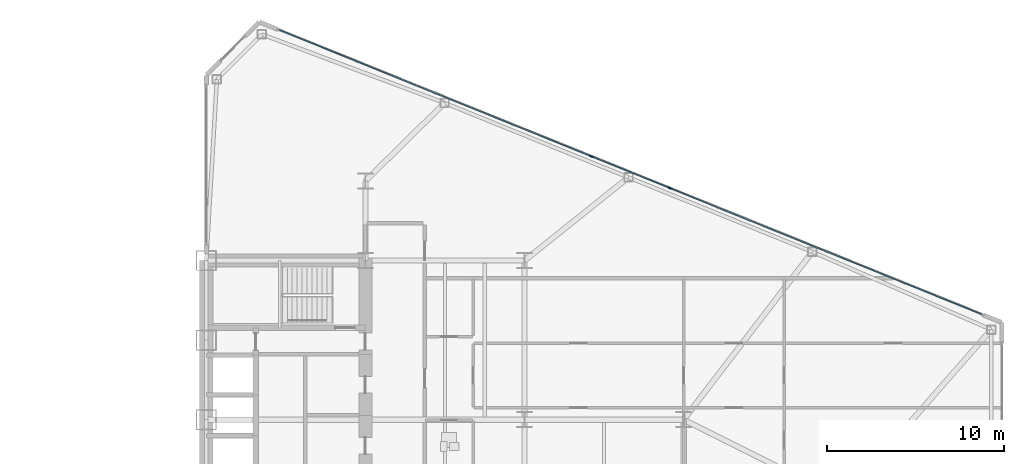
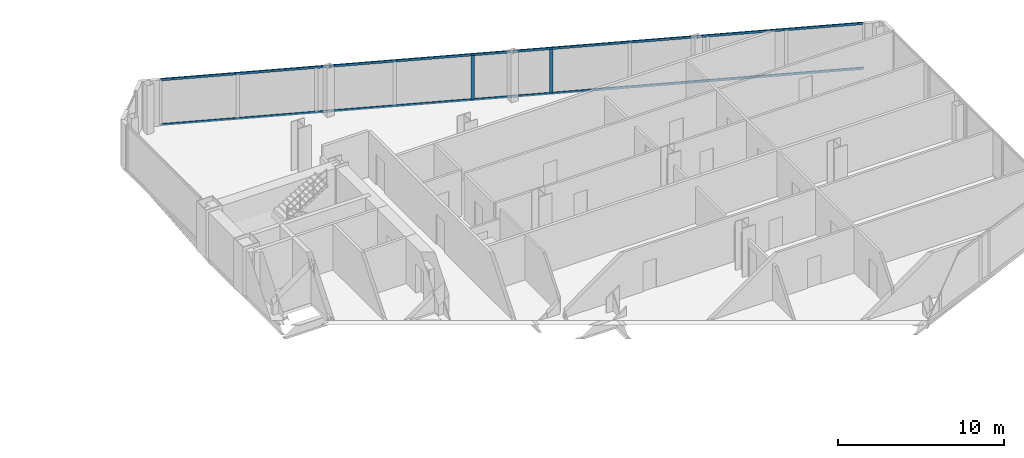
# One storey, part 12 of 25: 4 members, 1 element without a shape of its own.
"""IFC4 building model written with IfcOpenShell, lengths in metres."""

from ifc_helpers import new_model, si_unit, direction, frame, origin, origin_2d, place, context, subcontext, project, spatial, rectangle, extrude, source, transform, mapped, material, layer, layer_set, material_profile, profile_set, type_object, type_shapes, element, aggregate, save


model = new_model("IFC4")

# Units and contexts
model_context = context("Model", 3, precision=1e-05, world=origin(), true_north=direction((0.0, 1.0)))
body_context = subcontext(model_context, "Body", "Model", "MODEL_VIEW")
ifc_project = project(units=[si_unit("LENGTHUNIT", "METRE"), si_unit("AREAUNIT", "SQUARE_METRE"), si_unit("VOLUMEUNIT", "CUBIC_METRE"), si_unit("PLANEANGLEUNIT", "RADIAN"), si_unit("MASSUNIT", "GRAM", prefix="KILO")], contexts=[model_context])

# Site, building, storey
site_placement = place(None, origin())
site = spatial("IfcSite", under=ifc_project, at=site_placement, CompositionType="ELEMENT")
building_placement = place(site_placement, origin())
building = spatial("IfcBuilding", under=site, at=building_placement, Name="Seokmaru Belvedere", CompositionType="ELEMENT")
storey_placement = place(building_placement, frame((0.0, 0.0, 51.300048828125)))
storey = spatial("IfcBuildingStorey", under=building, at=storey_placement, Name="L13", CompositionType="ELEMENT", Elevation=51.300048828125)

# Curtain wall, members
ifc_material_1 = material(Name="Bronze Triple Insulating Glass", Category="glass")
ifc_layer = layer(ifc_material_1, 0.2099609375)
ifc_layer_set = layer_set([ifc_layer], Name="Bronze Triple Insulating Glass")
curtain_wall_type = type_object("IfcCurtainWallType", Name="Low-Rise Faceted Crystal Curtain Wall System CW-2", PredefinedType="NOTDEFINED", material=ifc_layer_set)
curtain_wall_placement = place(storey_placement, origin())
curtain_wall = element("IfcCurtainWall", 1, at=curtain_wall_placement, inside=storey, type_object=curtain_wall_type, Name="L13 Curtain Wall EF3", PredefinedType="NOTDEFINED")
ifc_material_2 = material(Name="Anodised Bronze Aluminium", Category="aluminium")
ifc_material_profile_1 = material_profile(ifc_material_2, rectangle(XDim=0.074951171875, YDim=0.2099609375, at=origin_2d()), Name="CW-M-75x210")
ifc_profile_set_1 = profile_set([ifc_material_profile_1], Name="Anodised Bronze Aluminium")
member_type_1 = type_object("IfcMemberType", Name="Bronze Unitised Mullion 75x210", PredefinedType="MULLION", material=ifc_profile_set_1)
shared_shape_1 = source(origin(), body_context, "Body", "SweptSolid", [
    extrude(rectangle(XDim=0.074951171875, YDim=0.2099609375, at=origin_2d()), origin(), (0.0, 0.0, 1.0), 3.239990234375),
])
type_shapes(member_type_1, [shared_shape_1])
member_1_placement = place(storey_placement, frame((53.71484375, 17.603515625, 0.070068359375), z_axis=(0.0, 0.0, 1.0), x_axis=(-0.375192321888, -0.926946989637, 0.0)))
member_1 = element("IfcMember", 2, at=member_1_placement, type_object=member_type_1, Name="CW:L13:EF3 Mullion 5", PredefinedType="MULLION", context=body_context, shape_type="MappedRepresentation", body=[
    mapped(shared_shape_1, transform((0.0, 0.0, 0.0), scale=1.0)),
])
member_2_placement = place(storey_placement, frame((49.28515625, 19.396484375, 0.070068359375), z_axis=(0.0, 0.0, 1.0), x_axis=(-0.375192321888, -0.926946989637, 0.0)))
member_2 = element("IfcMember", 3, at=member_2_placement, type_object=member_type_1, Name="CW:L13:EF3 Mullion 6", PredefinedType="MULLION", context=body_context, shape_type="MappedRepresentation", body=[
    mapped(shared_shape_1, transform((0.0, 0.0, 0.0), scale=1.0)),
])
ifc_material_profile_2 = material_profile(ifc_material_2, rectangle(XDim=0.070068359375, YDim=0.1650390625, at=origin_2d()), Name="CW-T-70x165")
ifc_profile_set_2 = profile_set([ifc_material_profile_2], Name="Anodised Bronze Aluminium")
member_type_2 = type_object("IfcMemberType", Name="Bronze Unitised Transom 70x165", PredefinedType="USERDEFINED", material=ifc_profile_set_2)
shared_shape_2 = source(origin(), body_context, "Body", "SweptSolid", [
    extrude(rectangle(XDim=0.070068359375, YDim=0.1650390625, at=origin_2d()), origin(), (0.0, 0.0, 1.0), 42.860107421875),
])
type_shapes(member_type_2, [shared_shape_2])
member_3_placement = place(storey_placement, frame((71.364501953125, 10.459716796875, 0.034912109375), z_axis=(-0.926948605599, 0.375188329481, 0.0), x_axis=(-0.375188329481, -0.926948605599, 0.0)))
member_3 = element("IfcMember", 4, at=member_3_placement, type_object=member_type_2, Name="CW:L13:EF3 Continuous Transom 1", ObjectType="TRANSOM", PredefinedType="USERDEFINED", context=body_context, shape_type="MappedRepresentation", body=[
    mapped(shared_shape_2, transform((0.0, 0.0, 0.0), scale=1.0)),
])
member_4_placement = place(storey_placement, frame((71.364501953125, 10.459716796875, 3.344970703125), z_axis=(-0.926948605599, 0.375188329481, 0.0), x_axis=(-0.375188329481, -0.926948605599, 0.0)))
member_4 = element("IfcMember", 5, at=member_4_placement, type_object=member_type_2, Name="CW:L13:EF3 Continuous Transom 2", ObjectType="TRANSOM", PredefinedType="USERDEFINED", context=body_context, shape_type="MappedRepresentation", body=[
    mapped(shared_shape_2, transform((0.0, 0.0, 0.0), scale=1.0)),
])
aggregate(curtain_wall, [member_1, member_2, member_3, member_4])

save(model, "model.ifc")
